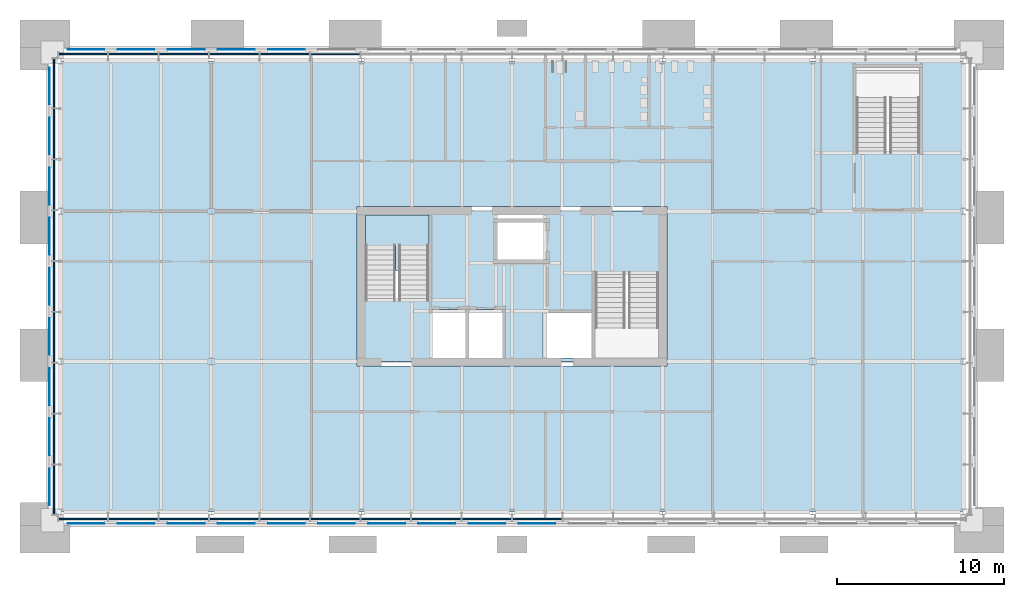
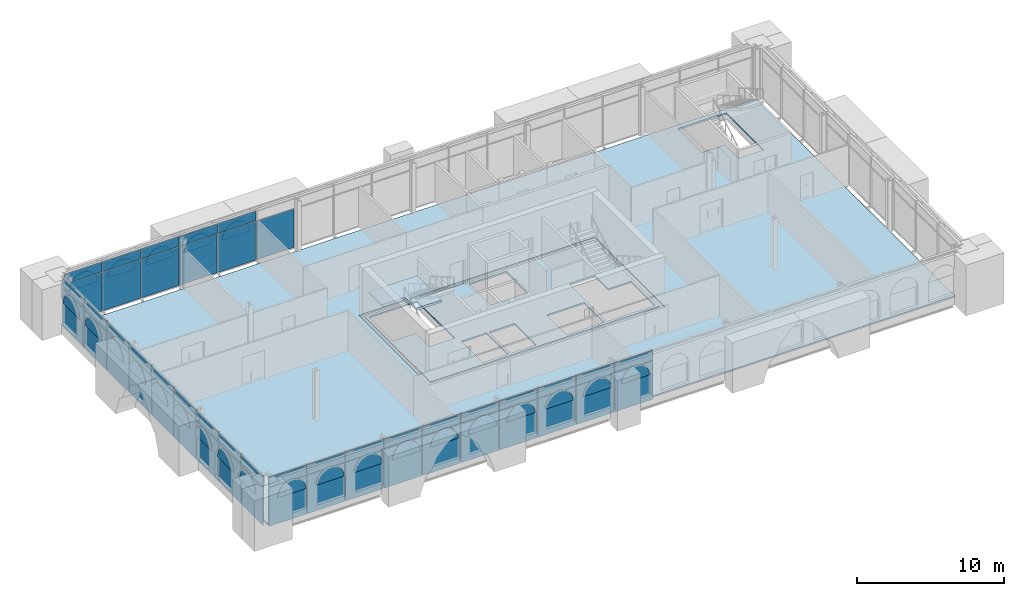
# One storey, part 9 of 22: 73 plates, 3 slabs, 4 elements without a shape of their own.
"""IFC4 building model written with IfcOpenShell, lengths in metres."""

from ifc_helpers import new_model, si_unit, direction, frame, origin, origin_2d, place, context, subcontext, project, spatial, polyline, rectangle, outline, extrude, material, layer, layer_set, type_object, element, aggregate, save


model = new_model("IFC4")

# Units and contexts
model_context = context("Model", 3, precision=1e-05, world=origin(), true_north=direction((0.0, 1.0)))
body_context = subcontext(model_context, "Body", "Model", "MODEL_VIEW")
ifc_project = project(units=[si_unit("LENGTHUNIT", "METRE"), si_unit("AREAUNIT", "SQUARE_METRE"), si_unit("VOLUMEUNIT", "CUBIC_METRE"), si_unit("PLANEANGLEUNIT", "RADIAN"), si_unit("MASSUNIT", "GRAM", prefix="KILO")], contexts=[model_context])

# Site, building, storey
site_placement = place(None, origin())
site = spatial("IfcSite", under=ifc_project, at=site_placement, CompositionType="ELEMENT")
building_placement = place(site_placement, origin())
building = spatial("IfcBuilding", under=site, at=building_placement, Name="Baradari Gate Terminus", CompositionType="ELEMENT")
storey_placement = place(building_placement, frame((0.0, 0.0, 28.5)))
storey = spatial("IfcBuildingStorey", under=building, at=storey_placement, Name="L06", CompositionType="ELEMENT", Elevation=28.5)

# Plates
ifc_material_1 = material(Name="Insulating glass unit", Category="glass")
ifc_layer_1 = layer(ifc_material_1, 0.0400390625)
ifc_layer_set_1 = layer_set([ifc_layer_1], Name="Insulating glass unit")
plate_type_1 = type_object("IfcPlateType", Name="Arch head glazing CP-AH 40", PredefinedType="SHEET", material=ifc_layer_set_1)
for number, where, z_axis, x_axis, name in (
    (1, (9.39990234375, 116.320068359375, 2.39990234375), (0.0, 0.0, 1.0), (1.0, 0.0, 0.0), "Arch head glazing CP-AH L06 S face 1"),
    (2, (12.39990234375, 116.320068359375, 2.39990234375), (0.0, 0.0, 1.0), (1.0, 0.0, 0.0), "Arch head glazing CP-AH L06 S face 2"),
    (3, (15.39990234375, 116.320068359375, 2.39990234375), (0.0, 0.0, 1.0), (1.0, 0.0, 0.0), "Arch head glazing CP-AH L06 S face 3"),
    (4, (18.39990234375, 116.320068359375, 2.39990234375), (0.0, 0.0, 1.0), (1.0, 0.0, 0.0), "Arch head glazing CP-AH L06 S face 4"),
    (5, (21.39990234375, 116.320068359375, 2.39990234375), (0.0, 0.0, 1.0), (1.0, 0.0, 0.0), "Arch head glazing CP-AH L06 S face 5"),
    (6, (24.39990234375, 116.320068359375, 2.39990234375), (0.0, 0.0, 1.0), (1.0, 0.0, 0.0), "Arch head glazing CP-AH L06 S face 6"),
    (7, (27.39990234375, 116.320068359375, 2.39990234375), (0.0, 0.0, 1.0), (1.0, 0.0, 0.0), "Arch head glazing CP-AH L06 S face 7"),
    (8, (30.39990234375, 116.320068359375, 2.39990234375), (0.0, 0.0, 1.0), (1.0, 0.0, 0.0), "Arch head glazing CP-AH L06 S face 8"),
    (9, (33.39990234375, 116.320068359375, 2.39990234375), (0.0, 0.0, 1.0), (1.0, 0.0, 0.0), "Arch head glazing CP-AH L06 S face 9"),
    (10, (36.39990234375, 116.320068359375, 2.39990234375), (0.0, 0.0, 1.0), (1.0, 0.0, 0.0), "Arch head glazing CP-AH L06 S face 10"),
    (11, (23.60009765625, 144.679931640625, 2.39990234375), (0.0, 0.0, 1.0), (-1.0, 0.0, 0.0), "Arch head glazing CP-AH L06 N face 14"),
    (12, (20.60009765625, 144.679931640625, 2.39990234375), (0.0, 0.0, 1.0), (-1.0, 0.0, 0.0), "Arch head glazing CP-AH L06 N face 15"),
    (13, (17.60009765625, 144.679931640625, 2.39990234375), (0.0, 0.0, 1.0), (-1.0, 0.0, 0.0), "Arch head glazing CP-AH L06 N face 16"),
    (14, (14.60009765625, 144.679931640625, 2.39990234375), (0.0, 0.0, 1.0), (-1.0, 0.0, 0.0), "Arch head glazing CP-AH L06 N face 17"),
    (15, (11.60009765625, 144.679931640625, 2.39990234375), (0.0, 0.0, 1.0), (-1.0, 0.0, 0.0), "Arch head glazing CP-AH L06 N face 18"),
    (16, (8.320068359375, 143.60009765625, 2.39990234375), (0.0, 0.0, 1.0), (0.0, -1.0, 0.0), "Arch head glazing CP-AH L06 W face 1"),
    (17, (8.320068359375, 140.60009765625, 2.39990234375), (0.0, 0.0, 1.0), (0.0, -1.0, 0.0), "Arch head glazing CP-AH L06 W face 2"),
    (18, (8.320068359375, 137.60009765625, 2.39990234375), (0.0, 0.0, 1.0), (0.0, -1.0, 0.0), "Arch head glazing CP-AH L06 W face 3"),
    (19, (8.320068359375, 134.60009765625, 2.39990234375), (0.0, 0.0, 1.0), (0.0, -1.0, 0.0), "Arch head glazing CP-AH L06 W face 4"),
    (20, (8.320068359375, 131.60009765625, 2.39990234375), (0.0, 0.0, 1.0), (0.0, -1.0, 0.0), "Arch head glazing CP-AH L06 W face 5"),
    (21, (8.320068359375, 128.60009765625, 2.39990234375), (0.0, 0.0, 1.0), (0.0, -1.0, 0.0), "Arch head glazing CP-AH L06 W face 6"),
    (22, (8.320068359375, 125.60009765625, 2.39990234375), (0.0, 0.0, 1.0), (0.0, -1.0, 0.0), "Arch head glazing CP-AH L06 W face 7"),
    (23, (8.320068359375, 122.60009765625, 2.39990234375), (0.0, 0.0, 1.0), (0.0, -1.0, 0.0), "Arch head glazing CP-AH L06 W face 8"),
    (24, (8.320068359375, 119.60009765625, 2.39990234375), (0.0, 0.0, 1.0), (0.0, -1.0, 0.0), "Arch head glazing CP-AH L06 W face 9"),
):
    element("IfcPlate", number, at=place(storey_placement, frame(where, z_axis=z_axis, x_axis=x_axis)), inside=storey, type_object=plate_type_1, Name=name, PredefinedType="SHEET", context=body_context, shape_type="SweptSolid", body=[
        extrude(outline(polyline([(0.0, 0.0), (2.199951171875, 0.0), (2.19091796875, 0.148681640625), (2.163330078125, 0.294921875), (2.1181640625, 0.436767578125), (2.0556640625, 0.572021484375), (1.97705078125, 0.6982421875), (1.88330078125, 0.81396484375), (1.776123046875, 0.917236328125), (1.6572265625, 1.006591796875), (1.52783203125, 1.08056640625), (1.390625, 1.137939453125), (1.247314453125, 1.177978515625), (1.10009765625, 1.2001953125), (0.952880859375, 1.177978515625), (0.809326171875, 1.137939453125), (0.672119140625, 1.08056640625), (0.54296875, 1.006591796875), (0.423828125, 0.917236328125), (0.316650390625, 0.81396484375), (0.222900390625, 0.6982421875), (0.144287109375, 0.572021484375), (0.08203125, 0.436767578125), (0.03662109375, 0.294921875), (0.00927734375, 0.148681640625), (0.0, 0.0)])), frame((0.0, 0.02001953125, 0.0), z_axis=(0.0, -1.0, 0.0), x_axis=(1.0, 0.0, 0.0)), (0.0, 0.0, 1.0), 0.0400390625),
    ])

# Slabs
ifc_material_2 = material(Name="Concrete C35/45", Category="concrete")
ifc_layer_2 = layer(ifc_material_2, 0.1298828125)
ifc_layer_set_2 = layer_set([ifc_layer_2], Name="Concrete C35/45")
slab_type_1 = type_object("IfcSlabType", Name="Composite floor slab SL1 130", PredefinedType="FLOOR", material=ifc_layer_set_2)
slab_1_placement = place(storey_placement, frame((0.0, 0.0, -0.1298828125)))
element("IfcSlab", 25, at=slab_1_placement, inside=storey, type_object=slab_type_1, Name="Block floor", PredefinedType="FLOOR", context=body_context, shape_type="SweptSolid", body=[
    extrude(outline(polyline([(63.0, 117.0), (63.0, 144.0), (9.0, 144.0), (9.0, 117.0), (63.0, 117.0)]), holes=[polyline([(56.60009765625, 143.60009765625), (56.60009765625, 140.320068359375), (58.39990234375, 140.320068359375), (58.39990234375, 138.5), (60.39990234375, 138.5), (60.39990234375, 143.60009765625), (56.60009765625, 143.60009765625)]), polyline([(26.72509765625, 125.72509765625), (45.27490234375, 125.72509765625), (45.27490234375, 126.22509765625), (45.27490234375, 134.77490234375), (45.27490234375, 135.27490234375), (26.72509765625, 135.27490234375), (26.72509765625, 134.77490234375), (26.72509765625, 126.22509765625), (26.72509765625, 125.72509765625)])]), origin(), (0.0, 0.0, 1.0), 0.1298828125),
])
slab_2_placement = place(storey_placement, frame((0.0, 0.0, -0.1298828125)))
element("IfcSlab", 26, at=slab_2_placement, inside=storey, type_object=slab_type_1, Name="Core floor CT", PredefinedType="FLOOR", context=body_context, shape_type="SweptSolid", body=[
    extrude(outline(polyline([(27.0, 135.0), (27.0, 126.0), (45.0, 126.0), (45.0, 135.0), (27.0, 135.0)]), holes=[polyline([(44.77490234375, 126.22509765625), (44.77490234375, 129.5048828125), (42.97509765625, 129.5048828125), (42.97509765625, 131.324951171875), (40.97509765625, 131.324951171875), (40.97509765625, 126.22509765625), (44.77490234375, 126.22509765625)]), polyline([(40.77490234375, 128.925048828125), (37.824951171875, 128.925048828125), (37.824951171875, 126.22509765625), (40.77490234375, 126.22509765625), (40.77490234375, 128.925048828125)]), polyline([(38.02490234375, 131.875), (38.02490234375, 134.77490234375), (35.125, 134.77490234375), (35.125, 131.875), (38.02490234375, 131.875)]), polyline([(35.425048828125, 129.125), (33.425048828125, 129.125), (33.425048828125, 126.22509765625), (35.425048828125, 126.22509765625), (35.425048828125, 129.125)]), polyline([(31.22509765625, 129.125), (31.22509765625, 126.22509765625), (33.22509765625, 126.22509765625), (33.22509765625, 129.125), (31.22509765625, 129.125)]), polyline([(27.22509765625, 134.77490234375), (27.22509765625, 131.4951171875), (29.02490234375, 131.4951171875), (29.02490234375, 129.675048828125), (31.02490234375, 129.675048828125), (31.02490234375, 134.77490234375), (27.22509765625, 134.77490234375)])]), origin(), (0.0, 0.0, 1.0), 0.1298828125),
])

# Curtain wall, plates
ifc_material_3 = material(Name="Aluminium 6063-T6", Category="aluminium")
curtain_wall_type = type_object("IfcCurtainWallType", Name="Curtain wall CW-12 block arcade floors, L06-L07", PredefinedType="NOTDEFINED", material=ifc_material_3)
curtain_wall_1_placement = place(storey_placement, origin())
curtain_wall_1 = element("IfcCurtainWall", 27, at=curtain_wall_1_placement, inside=storey, type_object=curtain_wall_type, Name="Curtain wall CW-12 Operations block S face L06", PredefinedType="NOTDEFINED")
ifc_material_4 = material(Name="Insulating glass unit", Category="glass")
ifc_layer_3 = layer(ifc_material_4, 0.06005859375)
ifc_layer_set_3 = layer_set([ifc_layer_3], Name="Insulating glass unit")
plate_type_2 = type_object("IfcPlateType", Name="Curtain wall glazing unit CP-12 60", PredefinedType="CURTAIN_PANEL", material=ifc_layer_set_3)
plate_1_placement = place(storey_placement, frame((10.327392578125, 116.592529296875, 0.06494140625), z_axis=(0.0, 0.0, 1.0), x_axis=(1.0, 0.0, 0.0)))
plate_1 = element("IfcPlate", 28, at=plate_1_placement, type_object=plate_type_2, Name="CW-12 panel 1.1", PredefinedType="CURTAIN_PANEL", context=body_context, shape_type="SweptSolid", body=[
    extrude(rectangle(XDim=2.9248046875, YDim=0.06005859375, at=origin_2d()), origin(), (0.0, 0.0, 1.0), 3.202392578125),
])
plate_2_placement = place(storey_placement, frame((13.333251953125, 116.592529296875, 0.06494140625), z_axis=(0.0, 0.0, 1.0), x_axis=(1.0, 0.0, 0.0)))
plate_2 = element("IfcPlate", 29, at=plate_2_placement, type_object=plate_type_2, Name="CW-12 panel 2.1", PredefinedType="CURTAIN_PANEL", context=body_context, shape_type="SweptSolid", body=[
    extrude(rectangle(XDim=2.957275390625, YDim=0.06005859375, at=origin_2d()), origin(), (0.0, 0.0, 1.0), 3.202392578125),
])
plate_3_placement = place(storey_placement, frame((16.35546875, 116.592529296875, 0.06494140625), z_axis=(0.0, 0.0, 1.0), x_axis=(1.0, 0.0, 0.0)))
plate_3 = element("IfcPlate", 30, at=plate_3_placement, type_object=plate_type_2, Name="CW-12 panel 3.1", PredefinedType="CURTAIN_PANEL", context=body_context, shape_type="SweptSolid", body=[
    extrude(rectangle(XDim=2.957275390625, YDim=0.06005859375, at=origin_2d()), origin(), (0.0, 0.0, 1.0), 3.202392578125),
])
plate_4_placement = place(storey_placement, frame((19.377685546875, 116.592529296875, 0.06494140625), z_axis=(0.0, 0.0, 1.0), x_axis=(1.0, 0.0, 0.0)))
plate_4 = element("IfcPlate", 31, at=plate_4_placement, type_object=plate_type_2, Name="CW-12 panel 4.1", PredefinedType="CURTAIN_PANEL", context=body_context, shape_type="SweptSolid", body=[
    extrude(rectangle(XDim=2.957275390625, YDim=0.06005859375, at=origin_2d()), origin(), (0.0, 0.0, 1.0), 3.202392578125),
])
plate_5_placement = place(storey_placement, frame((22.39990234375, 116.592529296875, 0.06494140625), z_axis=(0.0, 0.0, 1.0), x_axis=(1.0, 0.0, 0.0)))
plate_5 = element("IfcPlate", 32, at=plate_5_placement, type_object=plate_type_2, Name="CW-12 panel 5.1", PredefinedType="CURTAIN_PANEL", context=body_context, shape_type="SweptSolid", body=[
    extrude(rectangle(XDim=2.957275390625, YDim=0.06005859375, at=origin_2d()), origin(), (0.0, 0.0, 1.0), 3.202392578125),
])
plate_6_placement = place(storey_placement, frame((25.422119140625, 116.592529296875, 0.06494140625), z_axis=(0.0, 0.0, 1.0), x_axis=(1.0, 0.0, 0.0)))
plate_6 = element("IfcPlate", 33, at=plate_6_placement, type_object=plate_type_2, Name="CW-12 panel 6.1", PredefinedType="CURTAIN_PANEL", context=body_context, shape_type="SweptSolid", body=[
    extrude(rectangle(XDim=2.957275390625, YDim=0.06005859375, at=origin_2d()), origin(), (0.0, 0.0, 1.0), 3.202392578125),
])
plate_7_placement = place(storey_placement, frame((28.4443359375, 116.592529296875, 0.06494140625), z_axis=(0.0, 0.0, 1.0), x_axis=(1.0, 0.0, 0.0)))
plate_7 = element("IfcPlate", 34, at=plate_7_placement, type_object=plate_type_2, Name="CW-12 panel 7.1", PredefinedType="CURTAIN_PANEL", context=body_context, shape_type="SweptSolid", body=[
    extrude(rectangle(XDim=2.957275390625, YDim=0.06005859375, at=origin_2d()), origin(), (0.0, 0.0, 1.0), 3.202392578125),
])
plate_8_placement = place(storey_placement, frame((31.466552734375, 116.592529296875, 0.06494140625), z_axis=(0.0, 0.0, 1.0), x_axis=(1.0, 0.0, 0.0)))
plate_8 = element("IfcPlate", 35, at=plate_8_placement, type_object=plate_type_2, Name="CW-12 panel 8.1", PredefinedType="CURTAIN_PANEL", context=body_context, shape_type="SweptSolid", body=[
    extrude(rectangle(XDim=2.957275390625, YDim=0.06005859375, at=origin_2d()), origin(), (0.0, 0.0, 1.0), 3.202392578125),
])
plate_9_placement = place(storey_placement, frame((34.48876953125, 116.592529296875, 0.06494140625), z_axis=(0.0, 0.0, 1.0), x_axis=(1.0, 0.0, 0.0)))
plate_9 = element("IfcPlate", 36, at=plate_9_placement, type_object=plate_type_2, Name="CW-12 panel 9.1", PredefinedType="CURTAIN_PANEL", context=body_context, shape_type="SweptSolid", body=[
    extrude(rectangle(XDim=2.957275390625, YDim=0.06005859375, at=origin_2d()), origin(), (0.0, 0.0, 1.0), 3.202392578125),
])
plate_10_placement = place(storey_placement, frame((37.51123046875, 116.592529296875, 0.06494140625), z_axis=(0.0, 0.0, 1.0), x_axis=(1.0, 0.0, 0.0)))
plate_10 = element("IfcPlate", 37, at=plate_10_placement, type_object=plate_type_2, Name="CW-12 panel 10.1", PredefinedType="CURTAIN_PANEL", context=body_context, shape_type="SweptSolid", body=[
    extrude(rectangle(XDim=2.957275390625, YDim=0.06005859375, at=origin_2d()), origin(), (0.0, 0.0, 1.0), 3.202392578125),
])

curtain_wall_2_placement = place(storey_placement, origin())
curtain_wall_2 = element("IfcCurtainWall", 38, at=curtain_wall_2_placement, inside=storey, type_object=curtain_wall_type, Name="Curtain wall CW-12 Operations block N face L06", PredefinedType="NOTDEFINED")
plate_11_placement = place(storey_placement, frame((25.422119140625, 144.407470703125, 0.06494140625), z_axis=(0.0, 0.0, 1.0), x_axis=(-1.0, 0.0, 0.0)))
plate_11 = element("IfcPlate", 39, at=plate_11_placement, type_object=plate_type_2, Name="CW-12 panel 13.1", PredefinedType="CURTAIN_PANEL", context=body_context, shape_type="SweptSolid", body=[
    extrude(rectangle(XDim=2.957275390625, YDim=0.06005859375, at=origin_2d()), origin(), (0.0, 0.0, 1.0), 3.202392578125),
])
plate_12_placement = place(storey_placement, frame((22.39990234375, 144.407470703125, 0.06494140625), z_axis=(0.0, 0.0, 1.0), x_axis=(-1.0, 0.0, 0.0)))
plate_12 = element("IfcPlate", 40, at=plate_12_placement, type_object=plate_type_2, Name="CW-12 panel 14.1", PredefinedType="CURTAIN_PANEL", context=body_context, shape_type="SweptSolid", body=[
    extrude(rectangle(XDim=2.957275390625, YDim=0.06005859375, at=origin_2d()), origin(), (0.0, 0.0, 1.0), 3.202392578125),
])
plate_13_placement = place(storey_placement, frame((19.377685546875, 144.407470703125, 0.06494140625), z_axis=(0.0, 0.0, 1.0), x_axis=(-1.0, 0.0, 0.0)))
plate_13 = element("IfcPlate", 41, at=plate_13_placement, type_object=plate_type_2, Name="CW-12 panel 15.1", PredefinedType="CURTAIN_PANEL", context=body_context, shape_type="SweptSolid", body=[
    extrude(rectangle(XDim=2.957275390625, YDim=0.06005859375, at=origin_2d()), origin(), (0.0, 0.0, 1.0), 3.202392578125),
])
plate_14_placement = place(storey_placement, frame((16.35546875, 144.407470703125, 0.06494140625), z_axis=(0.0, 0.0, 1.0), x_axis=(-1.0, 0.0, 0.0)))
plate_14 = element("IfcPlate", 42, at=plate_14_placement, type_object=plate_type_2, Name="CW-12 panel 16.1", PredefinedType="CURTAIN_PANEL", context=body_context, shape_type="SweptSolid", body=[
    extrude(rectangle(XDim=2.957275390625, YDim=0.06005859375, at=origin_2d()), origin(), (0.0, 0.0, 1.0), 3.202392578125),
])
plate_15_placement = place(storey_placement, frame((13.333251953125, 144.407470703125, 0.06494140625), z_axis=(0.0, 0.0, 1.0), x_axis=(-1.0, 0.0, 0.0)))
plate_15 = element("IfcPlate", 43, at=plate_15_placement, type_object=plate_type_2, Name="CW-12 panel 17.1", PredefinedType="CURTAIN_PANEL", context=body_context, shape_type="SweptSolid", body=[
    extrude(rectangle(XDim=2.957275390625, YDim=0.06005859375, at=origin_2d()), origin(), (0.0, 0.0, 1.0), 3.202392578125),
])
plate_16_placement = place(storey_placement, frame((10.327392578125, 144.407470703125, 0.06494140625), z_axis=(0.0, 0.0, 1.0), x_axis=(-1.0, 0.0, 0.0)))
plate_16 = element("IfcPlate", 44, at=plate_16_placement, type_object=plate_type_2, Name="CW-12 panel 18.1", PredefinedType="CURTAIN_PANEL", context=body_context, shape_type="SweptSolid", body=[
    extrude(rectangle(XDim=2.9248046875, YDim=0.06005859375, at=origin_2d()), origin(), (0.0, 0.0, 1.0), 3.202392578125),
])

curtain_wall_3_placement = place(storey_placement, origin())
curtain_wall_3 = element("IfcCurtainWall", 45, at=curtain_wall_3_placement, inside=storey, type_object=curtain_wall_type, Name="Curtain wall CW-12 Operations block W face L06", PredefinedType="NOTDEFINED")
plate_17_placement = place(storey_placement, frame((8.592529296875, 142.66162109375, 0.06494140625), z_axis=(0.0, 0.0, 1.0), x_axis=(0.0, -1.0, 0.0)))
plate_17 = element("IfcPlate", 46, at=plate_17_placement, type_object=plate_type_2, Name="CW-12 panel 1.1", PredefinedType="CURTAIN_PANEL", context=body_context, shape_type="SweptSolid", body=[
    extrude(rectangle(XDim=2.947021484375, YDim=0.06005859375, at=origin_2d()), origin(), (0.0, 0.0, 1.0), 3.202392578125),
])
plate_18_placement = place(storey_placement, frame((8.592529296875, 139.63330078125, 0.06494140625), z_axis=(0.0, 0.0, 1.0), x_axis=(0.0, -1.0, 0.0)))
plate_18 = element("IfcPlate", 47, at=plate_18_placement, type_object=plate_type_2, Name="CW-12 panel 2.1", PredefinedType="CURTAIN_PANEL", context=body_context, shape_type="SweptSolid", body=[
    extrude(rectangle(XDim=2.9794921875, YDim=0.06005859375, at=origin_2d()), origin(), (0.0, 0.0, 1.0), 3.202392578125),
])
plate_19_placement = place(storey_placement, frame((8.592529296875, 136.5888671875, 0.06494140625), z_axis=(0.0, 0.0, 1.0), x_axis=(0.0, -1.0, 0.0)))
plate_19 = element("IfcPlate", 48, at=plate_19_placement, type_object=plate_type_2, Name="CW-12 panel 3.1", PredefinedType="CURTAIN_PANEL", context=body_context, shape_type="SweptSolid", body=[
    extrude(rectangle(XDim=2.9794921875, YDim=0.06005859375, at=origin_2d()), origin(), (0.0, 0.0, 1.0), 3.202392578125),
])
plate_20_placement = place(storey_placement, frame((8.592529296875, 133.54443359375, 0.06494140625), z_axis=(0.0, 0.0, 1.0), x_axis=(0.0, -1.0, 0.0)))
plate_20 = element("IfcPlate", 49, at=plate_20_placement, type_object=plate_type_2, Name="CW-12 panel 4.1", PredefinedType="CURTAIN_PANEL", context=body_context, shape_type="SweptSolid", body=[
    extrude(rectangle(XDim=2.9794921875, YDim=0.06005859375, at=origin_2d()), origin(), (0.0, 0.0, 1.0), 3.202392578125),
])
plate_21_placement = place(storey_placement, frame((8.592529296875, 130.5, 0.06494140625), z_axis=(0.0, 0.0, 1.0), x_axis=(0.0, -1.0, 0.0)))
plate_21 = element("IfcPlate", 50, at=plate_21_placement, type_object=plate_type_2, Name="CW-12 panel 5.1", PredefinedType="CURTAIN_PANEL", context=body_context, shape_type="SweptSolid", body=[
    extrude(rectangle(XDim=2.9794921875, YDim=0.06005859375, at=origin_2d()), origin(), (0.0, 0.0, 1.0), 3.202392578125),
])
plate_22_placement = place(storey_placement, frame((8.592529296875, 127.45556640625, 0.06494140625), z_axis=(0.0, 0.0, 1.0), x_axis=(0.0, -1.0, 0.0)))
plate_22 = element("IfcPlate", 51, at=plate_22_placement, type_object=plate_type_2, Name="CW-12 panel 6.1", PredefinedType="CURTAIN_PANEL", context=body_context, shape_type="SweptSolid", body=[
    extrude(rectangle(XDim=2.9794921875, YDim=0.06005859375, at=origin_2d()), origin(), (0.0, 0.0, 1.0), 3.202392578125),
])
plate_23_placement = place(storey_placement, frame((8.592529296875, 124.4111328125, 0.06494140625), z_axis=(0.0, 0.0, 1.0), x_axis=(0.0, -1.0, 0.0)))
plate_23 = element("IfcPlate", 52, at=plate_23_placement, type_object=plate_type_2, Name="CW-12 panel 7.1", PredefinedType="CURTAIN_PANEL", context=body_context, shape_type="SweptSolid", body=[
    extrude(rectangle(XDim=2.9794921875, YDim=0.06005859375, at=origin_2d()), origin(), (0.0, 0.0, 1.0), 3.202392578125),
])
plate_24_placement = place(storey_placement, frame((8.592529296875, 121.36669921875, 0.06494140625), z_axis=(0.0, 0.0, 1.0), x_axis=(0.0, -1.0, 0.0)))
plate_24 = element("IfcPlate", 53, at=plate_24_placement, type_object=plate_type_2, Name="CW-12 panel 8.1", PredefinedType="CURTAIN_PANEL", context=body_context, shape_type="SweptSolid", body=[
    extrude(rectangle(XDim=2.9794921875, YDim=0.06005859375, at=origin_2d()), origin(), (0.0, 0.0, 1.0), 3.202392578125),
])
plate_25_placement = place(storey_placement, frame((8.592529296875, 118.33837890625, 0.06494140625), z_axis=(0.0, 0.0, 1.0), x_axis=(0.0, -1.0, 0.0)))
plate_25 = element("IfcPlate", 54, at=plate_25_placement, type_object=plate_type_2, Name="CW-12 panel 9.1", PredefinedType="CURTAIN_PANEL", context=body_context, shape_type="SweptSolid", body=[
    extrude(rectangle(XDim=2.947021484375, YDim=0.06005859375, at=origin_2d()), origin(), (0.0, 0.0, 1.0), 3.202392578125),
])

# Plate
ifc_material_5 = material(Name="Back-painted glass", Category="glass")
ifc_layer_4 = layer(ifc_material_5, 0.090087890625)
ifc_layer_set_4 = layer_set([ifc_layer_4], Name="Back-painted glass")
plate_type_3 = type_object("IfcPlateType", Name="Curtain wall spandrel panel CP-S12 90", PredefinedType="CURTAIN_PANEL", material=ifc_layer_set_4)
plate_26_placement = place(storey_placement, frame((10.327392578125, 116.592529296875, 3.33251953125), z_axis=(0.0, 0.0, 1.0), x_axis=(1.0, 0.0, 0.0)))
plate_26 = element("IfcPlate", 55, at=plate_26_placement, type_object=plate_type_3, Name="CW-12 spandrel panel 1.2", PredefinedType="CURTAIN_PANEL", context=body_context, shape_type="SweptSolid", body=[
    extrude(rectangle(XDim=2.9248046875, YDim=0.090087890625, at=origin_2d()), origin(), (0.0, 0.0, 1.0), 0.802490234375),
])

plate_27_placement = place(storey_placement, frame((13.333251953125, 116.592529296875, 3.33251953125), z_axis=(0.0, 0.0, 1.0), x_axis=(1.0, 0.0, 0.0)))
plate_27 = element("IfcPlate", 56, at=plate_27_placement, type_object=plate_type_3, Name="CW-12 spandrel panel 2.2", PredefinedType="CURTAIN_PANEL", context=body_context, shape_type="SweptSolid", body=[
    extrude(rectangle(XDim=2.957275390625, YDim=0.090087890625, at=origin_2d()), origin(), (0.0, 0.0, 1.0), 0.802490234375),
])

plate_28_placement = place(storey_placement, frame((16.35546875, 116.592529296875, 3.33251953125), z_axis=(0.0, 0.0, 1.0), x_axis=(1.0, 0.0, 0.0)))
plate_28 = element("IfcPlate", 57, at=plate_28_placement, type_object=plate_type_3, Name="CW-12 spandrel panel 3.2", PredefinedType="CURTAIN_PANEL", context=body_context, shape_type="SweptSolid", body=[
    extrude(rectangle(XDim=2.957275390625, YDim=0.090087890625, at=origin_2d()), origin(), (0.0, 0.0, 1.0), 0.802490234375),
])

plate_29_placement = place(storey_placement, frame((19.377685546875, 116.592529296875, 3.33251953125), z_axis=(0.0, 0.0, 1.0), x_axis=(1.0, 0.0, 0.0)))
plate_29 = element("IfcPlate", 58, at=plate_29_placement, type_object=plate_type_3, Name="CW-12 spandrel panel 4.2", PredefinedType="CURTAIN_PANEL", context=body_context, shape_type="SweptSolid", body=[
    extrude(rectangle(XDim=2.957275390625, YDim=0.090087890625, at=origin_2d()), origin(), (0.0, 0.0, 1.0), 0.802490234375),
])

plate_30_placement = place(storey_placement, frame((22.39990234375, 116.592529296875, 3.33251953125), z_axis=(0.0, 0.0, 1.0), x_axis=(1.0, 0.0, 0.0)))
plate_30 = element("IfcPlate", 59, at=plate_30_placement, type_object=plate_type_3, Name="CW-12 spandrel panel 5.2", PredefinedType="CURTAIN_PANEL", context=body_context, shape_type="SweptSolid", body=[
    extrude(rectangle(XDim=2.957275390625, YDim=0.090087890625, at=origin_2d()), origin(), (0.0, 0.0, 1.0), 0.802490234375),
])

plate_31_placement = place(storey_placement, frame((25.422119140625, 116.592529296875, 3.33251953125), z_axis=(0.0, 0.0, 1.0), x_axis=(1.0, 0.0, 0.0)))
plate_31 = element("IfcPlate", 60, at=plate_31_placement, type_object=plate_type_3, Name="CW-12 spandrel panel 6.2", PredefinedType="CURTAIN_PANEL", context=body_context, shape_type="SweptSolid", body=[
    extrude(rectangle(XDim=2.957275390625, YDim=0.090087890625, at=origin_2d()), origin(), (0.0, 0.0, 1.0), 0.802490234375),
])

plate_32_placement = place(storey_placement, frame((28.4443359375, 116.592529296875, 3.33251953125), z_axis=(0.0, 0.0, 1.0), x_axis=(1.0, 0.0, 0.0)))
plate_32 = element("IfcPlate", 61, at=plate_32_placement, type_object=plate_type_3, Name="CW-12 spandrel panel 7.2", PredefinedType="CURTAIN_PANEL", context=body_context, shape_type="SweptSolid", body=[
    extrude(rectangle(XDim=2.957275390625, YDim=0.090087890625, at=origin_2d()), origin(), (0.0, 0.0, 1.0), 0.802490234375),
])

plate_33_placement = place(storey_placement, frame((31.466552734375, 116.592529296875, 3.33251953125), z_axis=(0.0, 0.0, 1.0), x_axis=(1.0, 0.0, 0.0)))
plate_33 = element("IfcPlate", 62, at=plate_33_placement, type_object=plate_type_3, Name="CW-12 spandrel panel 8.2", PredefinedType="CURTAIN_PANEL", context=body_context, shape_type="SweptSolid", body=[
    extrude(rectangle(XDim=2.957275390625, YDim=0.090087890625, at=origin_2d()), origin(), (0.0, 0.0, 1.0), 0.802490234375),
])

plate_34_placement = place(storey_placement, frame((34.48876953125, 116.592529296875, 3.33251953125), z_axis=(0.0, 0.0, 1.0), x_axis=(1.0, 0.0, 0.0)))
plate_34 = element("IfcPlate", 63, at=plate_34_placement, type_object=plate_type_3, Name="CW-12 spandrel panel 9.2", PredefinedType="CURTAIN_PANEL", context=body_context, shape_type="SweptSolid", body=[
    extrude(rectangle(XDim=2.957275390625, YDim=0.090087890625, at=origin_2d()), origin(), (0.0, 0.0, 1.0), 0.802490234375),
])

plate_35_placement = place(storey_placement, frame((37.51123046875, 116.592529296875, 3.33251953125), z_axis=(0.0, 0.0, 1.0), x_axis=(1.0, 0.0, 0.0)))
plate_35 = element("IfcPlate", 64, at=plate_35_placement, type_object=plate_type_3, Name="CW-12 spandrel panel 10.2", PredefinedType="CURTAIN_PANEL", context=body_context, shape_type="SweptSolid", body=[
    extrude(rectangle(XDim=2.957275390625, YDim=0.090087890625, at=origin_2d()), origin(), (0.0, 0.0, 1.0), 0.802490234375),
])

aggregate(curtain_wall_1, [plate_1, plate_26, plate_2, plate_27, plate_3, plate_28, plate_4, plate_29, plate_5, plate_30, plate_6, plate_31, plate_7, plate_32, plate_8, plate_33, plate_9, plate_34, plate_10, plate_35])

plate_36_placement = place(storey_placement, frame((22.39990234375, 144.407470703125, 3.33251953125), z_axis=(0.0, 0.0, 1.0), x_axis=(-1.0, 0.0, 0.0)))
plate_36 = element("IfcPlate", 65, at=plate_36_placement, type_object=plate_type_3, Name="CW-12 spandrel panel 14.2", PredefinedType="CURTAIN_PANEL", context=body_context, shape_type="SweptSolid", body=[
    extrude(rectangle(XDim=2.957275390625, YDim=0.090087890625, at=origin_2d()), origin(), (0.0, 0.0, 1.0), 0.802490234375),
])

plate_37_placement = place(storey_placement, frame((19.377685546875, 144.407470703125, 3.33251953125), z_axis=(0.0, 0.0, 1.0), x_axis=(-1.0, 0.0, 0.0)))
plate_37 = element("IfcPlate", 66, at=plate_37_placement, type_object=plate_type_3, Name="CW-12 spandrel panel 15.2", PredefinedType="CURTAIN_PANEL", context=body_context, shape_type="SweptSolid", body=[
    extrude(rectangle(XDim=2.957275390625, YDim=0.090087890625, at=origin_2d()), origin(), (0.0, 0.0, 1.0), 0.802490234375),
])

plate_38_placement = place(storey_placement, frame((16.35546875, 144.407470703125, 3.33251953125), z_axis=(0.0, 0.0, 1.0), x_axis=(-1.0, 0.0, 0.0)))
plate_38 = element("IfcPlate", 67, at=plate_38_placement, type_object=plate_type_3, Name="CW-12 spandrel panel 16.2", PredefinedType="CURTAIN_PANEL", context=body_context, shape_type="SweptSolid", body=[
    extrude(rectangle(XDim=2.957275390625, YDim=0.090087890625, at=origin_2d()), origin(), (0.0, 0.0, 1.0), 0.802490234375),
])

plate_39_placement = place(storey_placement, frame((13.333251953125, 144.407470703125, 3.33251953125), z_axis=(0.0, 0.0, 1.0), x_axis=(-1.0, 0.0, 0.0)))
plate_39 = element("IfcPlate", 68, at=plate_39_placement, type_object=plate_type_3, Name="CW-12 spandrel panel 17.2", PredefinedType="CURTAIN_PANEL", context=body_context, shape_type="SweptSolid", body=[
    extrude(rectangle(XDim=2.957275390625, YDim=0.090087890625, at=origin_2d()), origin(), (0.0, 0.0, 1.0), 0.802490234375),
])

plate_40_placement = place(storey_placement, frame((10.327392578125, 144.407470703125, 3.33251953125), z_axis=(0.0, 0.0, 1.0), x_axis=(-1.0, 0.0, 0.0)))
plate_40 = element("IfcPlate", 69, at=plate_40_placement, type_object=plate_type_3, Name="CW-12 spandrel panel 18.2", PredefinedType="CURTAIN_PANEL", context=body_context, shape_type="SweptSolid", body=[
    extrude(rectangle(XDim=2.9248046875, YDim=0.090087890625, at=origin_2d()), origin(), (0.0, 0.0, 1.0), 0.802490234375),
])

aggregate(curtain_wall_2, [plate_11, plate_12, plate_36, plate_13, plate_37, plate_14, plate_38, plate_15, plate_39, plate_16, plate_40])

plate_41_placement = place(storey_placement, frame((8.592529296875, 142.66162109375, 3.33251953125), z_axis=(0.0, 0.0, 1.0), x_axis=(0.0, -1.0, 0.0)))
plate_41 = element("IfcPlate", 70, at=plate_41_placement, type_object=plate_type_3, Name="CW-12 spandrel panel 1.2", PredefinedType="CURTAIN_PANEL", context=body_context, shape_type="SweptSolid", body=[
    extrude(rectangle(XDim=2.947021484375, YDim=0.090087890625, at=origin_2d()), origin(), (0.0, 0.0, 1.0), 0.802490234375),
])

plate_42_placement = place(storey_placement, frame((8.592529296875, 139.63330078125, 3.33251953125), z_axis=(0.0, 0.0, 1.0), x_axis=(0.0, -1.0, 0.0)))
plate_42 = element("IfcPlate", 71, at=plate_42_placement, type_object=plate_type_3, Name="CW-12 spandrel panel 2.2", PredefinedType="CURTAIN_PANEL", context=body_context, shape_type="SweptSolid", body=[
    extrude(rectangle(XDim=2.9794921875, YDim=0.090087890625, at=origin_2d()), origin(), (0.0, 0.0, 1.0), 0.802490234375),
])

plate_43_placement = place(storey_placement, frame((8.592529296875, 136.5888671875, 3.33251953125), z_axis=(0.0, 0.0, 1.0), x_axis=(0.0, -1.0, 0.0)))
plate_43 = element("IfcPlate", 72, at=plate_43_placement, type_object=plate_type_3, Name="CW-12 spandrel panel 3.2", PredefinedType="CURTAIN_PANEL", context=body_context, shape_type="SweptSolid", body=[
    extrude(rectangle(XDim=2.9794921875, YDim=0.090087890625, at=origin_2d()), origin(), (0.0, 0.0, 1.0), 0.802490234375),
])

plate_44_placement = place(storey_placement, frame((8.592529296875, 133.54443359375, 3.33251953125), z_axis=(0.0, 0.0, 1.0), x_axis=(0.0, -1.0, 0.0)))
plate_44 = element("IfcPlate", 73, at=plate_44_placement, type_object=plate_type_3, Name="CW-12 spandrel panel 4.2", PredefinedType="CURTAIN_PANEL", context=body_context, shape_type="SweptSolid", body=[
    extrude(rectangle(XDim=2.9794921875, YDim=0.090087890625, at=origin_2d()), origin(), (0.0, 0.0, 1.0), 0.802490234375),
])

plate_45_placement = place(storey_placement, frame((8.592529296875, 130.5, 3.33251953125), z_axis=(0.0, 0.0, 1.0), x_axis=(0.0, -1.0, 0.0)))
plate_45 = element("IfcPlate", 74, at=plate_45_placement, type_object=plate_type_3, Name="CW-12 spandrel panel 5.2", PredefinedType="CURTAIN_PANEL", context=body_context, shape_type="SweptSolid", body=[
    extrude(rectangle(XDim=2.9794921875, YDim=0.090087890625, at=origin_2d()), origin(), (0.0, 0.0, 1.0), 0.802490234375),
])

plate_46_placement = place(storey_placement, frame((8.592529296875, 127.45556640625, 3.33251953125), z_axis=(0.0, 0.0, 1.0), x_axis=(0.0, -1.0, 0.0)))
plate_46 = element("IfcPlate", 75, at=plate_46_placement, type_object=plate_type_3, Name="CW-12 spandrel panel 6.2", PredefinedType="CURTAIN_PANEL", context=body_context, shape_type="SweptSolid", body=[
    extrude(rectangle(XDim=2.9794921875, YDim=0.090087890625, at=origin_2d()), origin(), (0.0, 0.0, 1.0), 0.802490234375),
])

plate_47_placement = place(storey_placement, frame((8.592529296875, 124.4111328125, 3.33251953125), z_axis=(0.0, 0.0, 1.0), x_axis=(0.0, -1.0, 0.0)))
plate_47 = element("IfcPlate", 76, at=plate_47_placement, type_object=plate_type_3, Name="CW-12 spandrel panel 7.2", PredefinedType="CURTAIN_PANEL", context=body_context, shape_type="SweptSolid", body=[
    extrude(rectangle(XDim=2.9794921875, YDim=0.090087890625, at=origin_2d()), origin(), (0.0, 0.0, 1.0), 0.802490234375),
])

plate_48_placement = place(storey_placement, frame((8.592529296875, 121.36669921875, 3.33251953125), z_axis=(0.0, 0.0, 1.0), x_axis=(0.0, -1.0, 0.0)))
plate_48 = element("IfcPlate", 77, at=plate_48_placement, type_object=plate_type_3, Name="CW-12 spandrel panel 8.2", PredefinedType="CURTAIN_PANEL", context=body_context, shape_type="SweptSolid", body=[
    extrude(rectangle(XDim=2.9794921875, YDim=0.090087890625, at=origin_2d()), origin(), (0.0, 0.0, 1.0), 0.802490234375),
])

plate_49_placement = place(storey_placement, frame((8.592529296875, 118.33837890625, 3.33251953125), z_axis=(0.0, 0.0, 1.0), x_axis=(0.0, -1.0, 0.0)))
plate_49 = element("IfcPlate", 78, at=plate_49_placement, type_object=plate_type_3, Name="CW-12 spandrel panel 9.2", PredefinedType="CURTAIN_PANEL", context=body_context, shape_type="SweptSolid", body=[
    extrude(rectangle(XDim=2.947021484375, YDim=0.090087890625, at=origin_2d()), origin(), (0.0, 0.0, 1.0), 0.802490234375),
])

aggregate(curtain_wall_3, [plate_17, plate_41, plate_18, plate_42, plate_19, plate_43, plate_20, plate_44, plate_21, plate_45, plate_22, plate_46, plate_23, plate_47, plate_24, plate_48, plate_25, plate_49])

# Stair, slab
ifc_material_6 = material(Name="Concrete C32/40", Category="concrete")
stair_type = type_object("IfcStairType", Name="Exit stair ST-T1 riser 175 x 1800", PredefinedType="HALF_TURN_STAIR", material=ifc_material_6)
stair_placement = place(storey_placement, origin())
stair = element("IfcStair", 79, at=stair_placement, inside=storey, type_object=stair_type, Name="Stair ST-T1 L06 to L07", PredefinedType="HALF_TURN_STAIR")
ifc_material_7 = material(Name="Concrete C32/40", Category="concrete")
ifc_layer_5 = layer(ifc_material_7, 0.199951171875)
ifc_layer_set_5 = layer_set([ifc_layer_5], Name="Concrete C32/40")
slab_type_2 = type_object("IfcSlabType", Name="Stair landing LS-1 200", PredefinedType="LANDING", material=ifc_layer_set_5)
slab_3_placement = place(storey_placement, frame((0.0, 0.0, 1.89990234375)))
slab_3 = element("IfcSlab", 80, at=slab_3_placement, type_object=slab_type_2, Name="ST-T1 landing 1", PredefinedType="LANDING", context=body_context, shape_type="SweptSolid", body=[
    extrude(outline(polyline([(27.22509765625, 134.77490234375), (27.22509765625, 132.955078125), (29.02490234375, 132.955078125), (29.02490234375, 131.43994140625), (29.22509765625, 131.43994140625), (31.02490234375, 131.43994140625), (31.02490234375, 134.77490234375), (27.22509765625, 134.77490234375)])), origin(), (0.0, 0.0, 1.0), 0.2001953125),
])
aggregate(stair, [slab_3])

save(model, "model.ifc")
